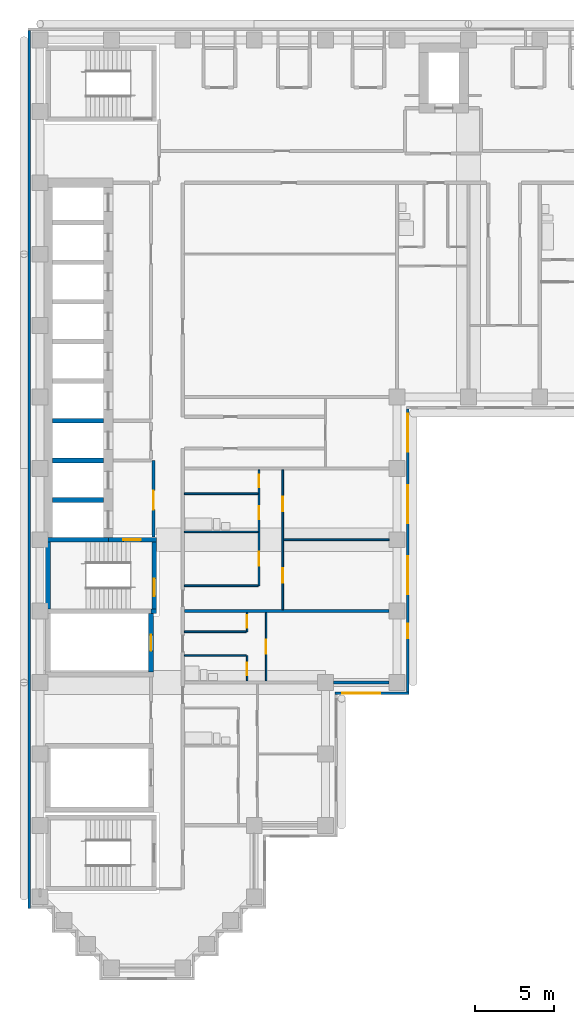
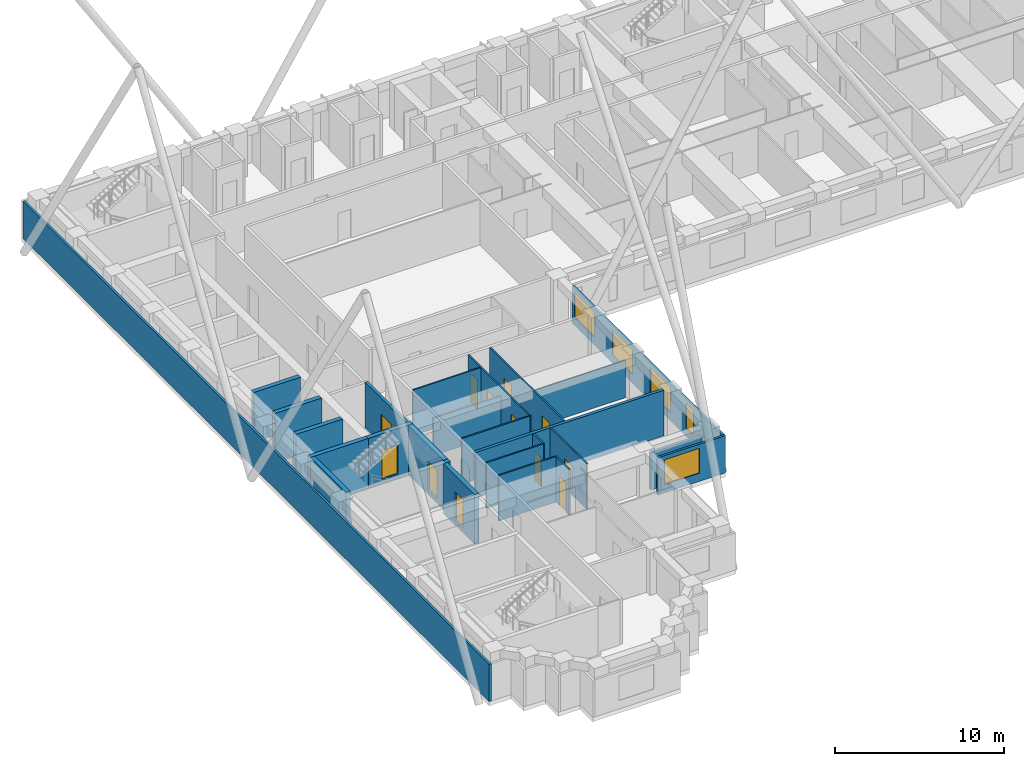
# One storey, part 4 of 13: 26 walls, 12 doors, 5 windows, 17 openings.
"""IFC4 building model written with IfcOpenShell, lengths in metres."""

from ifc_helpers import new_model, si_unit, direction, frame, frame_2d, origin, place, context, subcontext, project, spatial, rectangle, extrude, material, layer, layer_set, type_object, element, fill, save


model = new_model("IFC4")

# Units and contexts
model_context = context("Model", 3, precision=1e-05, world=origin(), true_north=direction((0.0, 1.0)))
body_context = subcontext(model_context, "Body", "Model", "MODEL_VIEW")
ifc_project = project(units=[si_unit("LENGTHUNIT", "METRE"), si_unit("AREAUNIT", "SQUARE_METRE"), si_unit("VOLUMEUNIT", "CUBIC_METRE"), si_unit("PLANEANGLEUNIT", "RADIAN"), si_unit("MASSUNIT", "GRAM", prefix="KILO")], contexts=[model_context])

# Site, building, storey
site_placement = place(None, origin())
site = spatial("IfcSite", under=ifc_project, at=site_placement, CompositionType="ELEMENT")
building_placement = place(site_placement, origin())
building = spatial("IfcBuilding", under=site, at=building_placement, Name="Firuza Court", CompositionType="ELEMENT")
storey_placement = place(building_placement, frame((0.0, 0.0, 141.199951171875)))
storey = spatial("IfcBuildingStorey", under=building, at=storey_placement, Name="L35", CompositionType="ELEMENT", Elevation=141.199951171875)

# Walls
ifc_material_1 = material(Name="Moisture-resistant gypsum board partition")
ifc_layer_1 = layer(ifc_material_1, 0.10009765625)
ifc_layer_set_1 = layer_set([ifc_layer_1], Name="Moisture-resistant gypsum board partition")
wall_type_1 = type_object("IfcWallType", Name="Bathroom partition 100", PredefinedType="PLUMBINGWALL", material=ifc_layer_set_1)
wall_1_placement = place(storey_placement, frame((9.10009765625, 19.699951171875, 0.0), z_axis=(0.0, 0.0, 1.0), x_axis=(1.0, 0.0, 0.0)))
element("IfcWall", 1, at=wall_1_placement, inside=storey, type_object=wall_type_1, Name="Bathroom partition 100 L35", PredefinedType="PLUMBINGWALL", context=body_context, shape_type="SweptSolid", body=[
    extrude(rectangle(XDim=3.89990234375, YDim=0.10009765625, at=frame_2d((1.949951171875, 0.0))), origin(), (0.0, 0.0, 1.0), 3.300048828125),
])
wall_2_placement = place(storey_placement, frame((9.10009765625, 27.5, 0.0), z_axis=(0.0, 0.0, 1.0), x_axis=(1.0, 0.0, 0.0)))
element("IfcWall", 2, at=wall_2_placement, inside=storey, type_object=wall_type_1, Name="Bathroom partition 100 L35", PredefinedType="PLUMBINGWALL", context=body_context, shape_type="SweptSolid", body=[
    extrude(rectangle(XDim=4.64990234375, YDim=0.10009765625, at=frame_2d((2.324951171875, 0.0))), origin(), (0.0, 0.0, 1.0), 2.699951171875),
])
wall_3_placement = place(storey_placement, frame((9.10009765625, 29.89990234375, 0.0), z_axis=(0.0, 0.0, 1.0), x_axis=(1.0, 0.0, 0.0)))
element("IfcWall", 3, at=wall_3_placement, inside=storey, type_object=wall_type_1, Name="Bathroom partition 100 L35", PredefinedType="PLUMBINGWALL", context=body_context, shape_type="SweptSolid", body=[
    extrude(rectangle(XDim=4.64990234375, YDim=0.10009765625, at=frame_2d((2.324951171875, 0.0))), origin(), (0.0, 0.0, 1.0), 3.300048828125),
])
ifc_material_2 = material(Name="Concrete C60/75", Category="concrete")
ifc_layer_2 = layer(ifc_material_2, 0.300048828125)
ifc_layer_set_2 = layer_set([ifc_layer_2], Name="Concrete C60/75")
wall_type_2 = type_object("IfcWallType", Name="Core wall 300 C60/75", PredefinedType="SHEAR", material=ifc_layer_set_2)
wall_4_placement = place(storey_placement, frame((0.35009765625, 27.0, -0.300048828125), z_axis=(0.0, 0.0, 1.0), x_axis=(1.0, 0.0, 0.0)))
element("IfcWall", 4, at=wall_4_placement, inside=storey, type_object=wall_type_2, Name="Core wall lift shaft L35", PredefinedType="SHEAR", context=body_context, shape_type="SweptSolid", body=[
    extrude(rectangle(XDim=3.949951171875, YDim=0.300048828125, at=frame_2d((1.97509765625, 0.0))), origin(), (0.0, 0.0, 1.0), 3.60009765625),
])
wall_5_placement = place(storey_placement, frame((0.5, 22.64990234375, -0.300048828125), z_axis=(0.0, 0.0, 1.0), x_axis=(0.0, 1.0, 0.0)))
element("IfcWall", 5, at=wall_5_placement, inside=storey, type_object=wall_type_2, Name="Core wall stair L35", PredefinedType="SHEAR", context=body_context, shape_type="SweptSolid", body=[
    extrude(rectangle(XDim=4.2001953125, YDim=0.300048828125, at=frame_2d((2.10009765625, 0.0))), origin(), (0.0, 0.0, 1.0), 3.60009765625),
])
for number, where, z_axis, x_axis, name in (
    (6, (0.800048828125, 29.5, -0.300048828125), (0.0, 0.0, 1.0), (1.0, 0.0, 0.0), "Core wall lift shaft L35"),
    (7, (0.800048828125, 32.0, -0.300048828125), (0.0, 0.0, 1.0), (1.0, 0.0, 0.0), "Core wall lift shaft L35"),
    (8, (0.800048828125, 34.5, -0.300048828125), (0.0, 0.0, 1.0), (1.0, 0.0, 0.0), "Core wall lift shaft L35"),
):
    element("IfcWall", number, at=place(storey_placement, frame(where, z_axis=z_axis, x_axis=x_axis)), inside=storey, type_object=wall_type_2, Name=name, PredefinedType="SHEAR", context=body_context, shape_type="SweptSolid", body=[
        extrude(rectangle(XDim=3.199951171875, YDim=0.300048828125, at=frame_2d((1.60009765625, 0.0))), origin(), (0.0, 0.0, 1.0), 3.60009765625),
    ])

# Wall, opening, door
wall_6_placement = place(storey_placement, frame((4.300048828125, 27.0, -0.300048828125), z_axis=(0.0, 0.0, 1.0), x_axis=(1.0, 0.0, 0.0)))
wall_6 = element("IfcWall", 9, at=wall_6_placement, inside=storey, type_object=wall_type_2, Name="Core wall stair L35", PredefinedType="SHEAR", context=body_context, shape_type="SweptSolid", body=[
    extrude(rectangle(XDim=3.050048828125, YDim=0.300048828125, at=frame_2d((1.52490234375, 0.0))), origin(), (0.0, 0.0, 1.0), 3.60009765625),
])
opening_1_placement = place(wall_6_placement, frame((0.949951171875, 0.0, 0.300048828125)))
opening_1 = element("IfcOpeningElement", 10, at=opening_1_placement, cuts=wall_6, Name="Opening D35013", PredefinedType="OPENING", context=body_context, shape_type="SweptSolid", body=[
    extrude(rectangle(XDim=1.10009765625, YDim=2.10009765625, at=frame_2d((0.550048828125, 1.050048828125))), frame((0.0, 0.162109375, 0.0), z_axis=(0.0, -1.0, 0.0), x_axis=(1.0, 0.0, 0.0)), (0.0, 0.0, 1.0), 0.323974609375),
])
ifc_material_3 = material(Name="Timber door leaf in hardwood frame", Category="wood")
door_type_1 = type_object("IfcDoorType", Name="Stair door 1100", OperationType="SINGLE_SWING_LEFT", PredefinedType="DOOR", material=ifc_material_3)
door_1_placement = place(opening_1_placement, frame((1.10009765625, 0.0, 0.0), z_axis=(0.0, 0.0, 1.0), x_axis=(-1.0, 0.0, 0.0)))
door_1 = element("IfcDoor", 11, at=door_1_placement, inside=storey, type_object=door_type_1, Name="Fire-fighting lobby door", OperationType="SINGLE_SWING_LEFT", OverallHeight=2.10009765625, OverallWidth=1.10009765625, PredefinedType="DOOR", context=body_context, shape_type="SweptSolid", body=[
    extrude(rectangle(XDim=1.10009765625, YDim=2.10009765625, at=frame_2d((0.550048828125, 1.050048828125))), frame((0.0, 0.02490234375, 0.0), z_axis=(0.0, -1.0, 0.0), x_axis=(1.0, 0.0, 0.0)), (0.0, 0.0, 1.0), 0.050048828125),
])
fill(opening_1, door_1)

wall_7_placement = place(storey_placement, frame((7.0, 18.64990234375, -0.300048828125), z_axis=(0.0, 0.0, 1.0), x_axis=(0.0, 1.0, 0.0)))
wall_7 = element("IfcWall", 12, at=wall_7_placement, inside=storey, type_object=wall_type_2, Name="Core wall riser L35", PredefinedType="SHEAR", context=body_context, shape_type="SweptSolid", body=[
    extrude(rectangle(XDim=3.7001953125, YDim=0.300048828125, at=frame_2d((1.85009765625, 0.0))), origin(), (0.0, 0.0, 1.0), 3.60009765625),
])
opening_2_placement = place(wall_7_placement, frame((1.35009765625, 0.0, 0.300048828125)))
opening_2 = element("IfcOpeningElement", 13, at=opening_2_placement, cuts=wall_7, Name="Opening D35009", PredefinedType="OPENING", context=body_context, shape_type="SweptSolid", body=[
    extrude(rectangle(XDim=1.0, YDim=2.10009765625, at=frame_2d((0.5, 1.050048828125))), frame((0.0, 0.162109375, 0.0), z_axis=(0.0, -1.0, 0.0), x_axis=(1.0, 0.0, 0.0)), (0.0, 0.0, 1.0), 0.323974609375),
])
ifc_material_4 = material(Name="Timber door leaf in hardwood frame", Category="wood")
door_type_2 = type_object("IfcDoorType", Name="Riser door 1000", OperationType="SINGLE_SWING_LEFT", PredefinedType="DOOR", material=ifc_material_4)
door_2_placement = place(opening_2_placement, origin())
door_2 = element("IfcDoor", 14, at=door_2_placement, inside=storey, type_object=door_type_2, Name="Riser door R1", OperationType="SINGLE_SWING_LEFT", OverallHeight=2.10009765625, OverallWidth=1.0, PredefinedType="DOOR", context=body_context, shape_type="SweptSolid", body=[
    extrude(rectangle(XDim=1.0, YDim=2.10009765625, at=frame_2d((0.5, 1.050048828125))), frame((0.0, 0.02490234375, 0.0), z_axis=(0.0, -1.0, 0.0), x_axis=(1.0, 0.0, 0.0)), (0.0, 0.0, 1.0), 0.050048828125),
])
fill(opening_2, door_2)

# Wall
wall_8_placement = place(storey_placement, frame((7.0, 22.5, -0.300048828125), z_axis=(0.0, 0.0, 1.0), x_axis=(1.0, 0.0, 0.0)))
element("IfcWall", 15, at=wall_8_placement, inside=storey, type_object=wall_type_2, Name="Core wall stair L35", PredefinedType="SHEAR", context=body_context, shape_type="SweptSolid", body=[
    extrude(rectangle(XDim=0.35009765625, YDim=0.300048828125, at=frame_2d((0.175048828125, 0.0))), origin(), (0.0, 0.0, 1.0), 3.60009765625),
])

# Wall, opening, door
wall_9_placement = place(storey_placement, frame((7.199951171875, 22.64990234375, -0.300048828125), z_axis=(0.0, 0.0, 1.0), x_axis=(0.0, 1.0, 0.0)))
wall_9 = element("IfcWall", 16, at=wall_9_placement, inside=storey, type_object=wall_type_2, Name="Core wall stair L35", PredefinedType="SHEAR", context=body_context, shape_type="SweptSolid", body=[
    extrude(rectangle(XDim=4.2001953125, YDim=0.300048828125, at=frame_2d((2.10009765625, 0.0))), origin(), (0.0, 0.0, 1.0), 3.60009765625),
])
opening_3_placement = place(wall_9_placement, frame((0.800048828125, 0.0, 0.300048828125)))
opening_3 = element("IfcOpeningElement", 17, at=opening_3_placement, cuts=wall_9, Name="Opening D35014", PredefinedType="OPENING", context=body_context, shape_type="SweptSolid", body=[
    extrude(rectangle(XDim=1.10009765625, YDim=2.10009765625, at=frame_2d((0.550048828125, 1.050048828125))), frame((0.0, 0.162109375, 0.0), z_axis=(0.0, -1.0, 0.0), x_axis=(1.0, 0.0, 0.0)), (0.0, 0.0, 1.0), 0.323974609375),
])
door_3_placement = place(opening_3_placement, origin())
door_3 = element("IfcDoor", 18, at=door_3_placement, inside=storey, type_object=door_type_1, Name="Stair door S2", OperationType="SINGLE_SWING_LEFT", OverallHeight=2.10009765625, OverallWidth=1.10009765625, PredefinedType="DOOR", context=body_context, shape_type="SweptSolid", body=[
    extrude(rectangle(XDim=1.10009765625, YDim=2.10009765625, at=frame_2d((0.550048828125, 1.050048828125))), frame((0.0, 0.02490234375, 0.0), z_axis=(0.0, -1.0, 0.0), x_axis=(1.0, 0.0, 0.0)), (0.0, 0.0, 1.0), 0.050048828125),
])
fill(opening_3, door_3)

ifc_material_5 = material(Name="Timber stud partition, plasterboard both sides", Category="wood")
ifc_layer_3 = layer(ifc_material_5, 0.10009765625)
ifc_layer_set_3 = layer_set([ifc_layer_3], Name="Timber stud partition, plasterboard both sides")
wall_type_3 = type_object("IfcWallType", Name="Partition wall 100", PredefinedType="PARTITIONING", material=ifc_layer_set_3)
wall_10_placement = place(storey_placement, frame((13.050048828125, 18.10009765625, 0.0), z_axis=(0.0, 0.0, 1.0), x_axis=(0.0, 1.0, 0.0)))
wall_10 = element("IfcWall", 19, at=wall_10_placement, inside=storey, type_object=wall_type_3, Name="Partition wall 100 L35", PredefinedType="PARTITIONING", context=body_context, shape_type="SweptSolid", body=[
    extrude(rectangle(XDim=1.599853515625, YDim=0.10009765625, at=frame_2d((0.7998046875, 0.0))), origin(), (0.0, 0.0, 1.0), 3.300048828125),
])
opening_4_placement = place(wall_10_placement, frame((0.35009765625, 0.0, 0.0)))
opening_4 = element("IfcOpeningElement", 20, at=opening_4_placement, cuts=wall_10, Name="Opening D35027", PredefinedType="OPENING", context=body_context, shape_type="SweptSolid", body=[
    extrude(rectangle(XDim=0.800048828125, YDim=2.10009765625, at=frame_2d((0.39990234375, 1.050048828125))), frame((0.0, 0.06201171875, 0.0), z_axis=(0.0, -1.0, 0.0), x_axis=(1.0, 0.0, 0.0)), (0.0, 0.0, 1.0), 0.1240234375),
])
ifc_material_6 = material(Name="Timber door leaf in hardwood frame", Category="wood")
door_type_3 = type_object("IfcDoorType", Name="Bathroom door 800", OperationType="SINGLE_SWING_LEFT", PredefinedType="DOOR", material=ifc_material_6)
door_4_placement = place(opening_4_placement, origin())
door_4 = element("IfcDoor", 21, at=door_4_placement, inside=storey, type_object=door_type_3, Name="Bathroom door", OperationType="SINGLE_SWING_LEFT", OverallHeight=2.10009765625, OverallWidth=0.800048828125, PredefinedType="DOOR", context=body_context, shape_type="SweptSolid", body=[
    extrude(rectangle(XDim=0.800048828125, YDim=2.10009765625, at=frame_2d((0.39990234375, 1.050048828125))), frame((0.0, 0.02490234375, 0.0), z_axis=(0.0, -1.0, 0.0), x_axis=(1.0, 0.0, 0.0)), (0.0, 0.0, 1.0), 0.050048828125),
])
fill(opening_4, door_4)

wall_11_placement = place(storey_placement, frame((14.25, 18.10009765625, 0.0), z_axis=(0.0, 0.0, 1.0), x_axis=(0.0, 1.0, 0.0)))
wall_11 = element("IfcWall", 22, at=wall_11_placement, inside=storey, type_object=wall_type_3, Name="Partition wall 100 L35", PredefinedType="PARTITIONING", context=body_context, shape_type="SweptSolid", body=[
    extrude(rectangle(XDim=4.2998046875, YDim=0.10009765625, at=frame_2d((2.14990234375, 0.0))), origin(), (0.0, 0.0, 1.0), 3.300048828125),
])
opening_5_placement = place(wall_11_placement, frame((1.699951171875, 0.0, 0.0)))
opening_5 = element("IfcOpeningElement", 23, at=opening_5_placement, cuts=wall_11, Name="Opening D35028", PredefinedType="OPENING", context=body_context, shape_type="SweptSolid", body=[
    extrude(rectangle(XDim=0.89990234375, YDim=2.10009765625, at=frame_2d((0.449951171875, 1.050048828125))), frame((0.0, 0.06201171875, 0.0), z_axis=(0.0, -1.0, 0.0), x_axis=(1.0, 0.0, 0.0)), (0.0, 0.0, 1.0), 0.1240234375),
])
ifc_material_7 = material(Name="Timber door leaf in hardwood frame", Category="wood")
door_type_4 = type_object("IfcDoorType", Name="Room door 900", OperationType="SINGLE_SWING_LEFT", PredefinedType="DOOR", material=ifc_material_7)
door_5_placement = place(opening_5_placement, frame((0.89990234375, 0.0, 0.0), z_axis=(0.0, 0.0, 1.0), x_axis=(-1.0, 0.0, 0.0)))
door_5 = element("IfcDoor", 24, at=door_5_placement, inside=storey, type_object=door_type_4, Name="Studio room door", OperationType="SINGLE_SWING_RIGHT", OverallHeight=2.10009765625, OverallWidth=0.89990234375, PredefinedType="DOOR", context=body_context, shape_type="SweptSolid", body=[
    extrude(rectangle(XDim=0.89990234375, YDim=2.10009765625, at=frame_2d((0.449951171875, 1.050048828125))), frame((0.0, 0.02490234375, 0.0), z_axis=(0.0, -1.0, 0.0), x_axis=(1.0, 0.0, 0.0)), (0.0, 0.0, 1.0), 0.050048828125),
])
fill(opening_5, door_5)

# Wall
wall_12_placement = place(storey_placement, frame((9.10009765625, 21.199951171875, 0.0), z_axis=(0.0, 0.0, 1.0), x_axis=(1.0, 0.0, 0.0)))
element("IfcWall", 25, at=wall_12_placement, inside=storey, type_object=wall_type_3, Name="Partition wall 100 L35", PredefinedType="PARTITIONING", context=body_context, shape_type="SweptSolid", body=[
    extrude(rectangle(XDim=3.89990234375, YDim=0.10009765625, at=frame_2d((1.949951171875, 0.0))), origin(), (0.0, 0.0, 1.0), 3.300048828125),
])

# Wall, opening, door
wall_13_placement = place(storey_placement, frame((13.050048828125, 21.199951171875, 0.0), z_axis=(0.0, 0.0, 1.0), x_axis=(0.0, 1.0, 0.0)))
wall_13 = element("IfcWall", 26, at=wall_13_placement, inside=storey, type_object=wall_type_3, Name="Partition wall 100 L35", PredefinedType="PARTITIONING", context=body_context, shape_type="SweptSolid", body=[
    extrude(rectangle(XDim=1.199951171875, YDim=0.10009765625, at=frame_2d((0.60009765625, 0.0))), origin(), (0.0, 0.0, 1.0), 3.300048828125),
])
opening_6_placement = place(wall_13_placement, frame((0.25, 0.0, 0.0)))
opening_6 = element("IfcOpeningElement", 27, at=opening_6_placement, cuts=wall_13, Name="Opening D35029", PredefinedType="OPENING", context=body_context, shape_type="SweptSolid", body=[
    extrude(rectangle(XDim=0.800048828125, YDim=2.10009765625, at=frame_2d((0.39990234375, 1.050048828125))), frame((0.0, 0.06201171875, 0.0), z_axis=(0.0, -1.0, 0.0), x_axis=(1.0, 0.0, 0.0)), (0.0, 0.0, 1.0), 0.1240234375),
])
ifc_material_8 = material(Name="Timber door leaf in hardwood frame", Category="wood")
door_type_5 = type_object("IfcDoorType", Name="Room door 800", OperationType="SINGLE_SWING_LEFT", PredefinedType="DOOR", material=ifc_material_8)
door_6_placement = place(opening_6_placement, origin())
door_6 = element("IfcDoor", 28, at=door_6_placement, inside=storey, type_object=door_type_5, Name="Kitchen door", OperationType="SINGLE_SWING_LEFT", OverallHeight=2.10009765625, OverallWidth=0.800048828125, PredefinedType="DOOR", context=body_context, shape_type="SweptSolid", body=[
    extrude(rectangle(XDim=0.800048828125, YDim=2.10009765625, at=frame_2d((0.39990234375, 1.050048828125))), frame((0.0, 0.02490234375, 0.0), z_axis=(0.0, -1.0, 0.0), x_axis=(1.0, 0.0, 0.0)), (0.0, 0.0, 1.0), 0.050048828125),
])
fill(opening_6, door_6)

# Wall, openings, doors
wall_14_placement = place(storey_placement, frame((15.300048828125, 22.60009765625, 0.0), z_axis=(0.0, 0.0, 1.0), x_axis=(0.0, 1.0, 0.0)))
wall_14 = element("IfcWall", 29, at=wall_14_placement, inside=storey, type_object=wall_type_3, Name="Partition wall 100 L35", PredefinedType="PARTITIONING", context=body_context, shape_type="SweptSolid", body=[
    extrude(rectangle(XDim=8.7998046875, YDim=0.10009765625, at=frame_2d((4.39990234375, 0.0))), origin(), (0.0, 0.0, 1.0), 3.300048828125),
])
opening_7_placement = place(wall_14_placement, frame((1.699951171875, 0.0, 0.0)))
opening_7 = element("IfcOpeningElement", 30, at=opening_7_placement, cuts=wall_14, Name="Opening D35030", PredefinedType="OPENING", context=body_context, shape_type="SweptSolid", body=[
    extrude(rectangle(XDim=0.89990234375, YDim=2.10009765625, at=frame_2d((0.449951171875, 1.050048828125))), frame((0.0, 0.06201171875, 0.0), z_axis=(0.0, -1.0, 0.0), x_axis=(1.0, 0.0, 0.0)), (0.0, 0.0, 1.0), 0.1240234375),
])
opening_8_placement = place(wall_14_placement, frame((6.199951171875, 0.0, 0.0)))
opening_8 = element("IfcOpeningElement", 31, at=opening_8_placement, cuts=wall_14, Name="Opening D35031", PredefinedType="OPENING", context=body_context, shape_type="SweptSolid", body=[
    extrude(rectangle(XDim=0.89990234375, YDim=2.10009765625, at=frame_2d((0.449951171875, 1.050048828125))), frame((0.0, 0.06201171875, 0.0), z_axis=(0.0, -1.0, 0.0), x_axis=(1.0, 0.0, 0.0)), (0.0, 0.0, 1.0), 0.1240234375),
])
door_7_placement = place(opening_7_placement, frame((0.89990234375, 0.0, 0.0), z_axis=(0.0, 0.0, 1.0), x_axis=(-1.0, 0.0, 0.0)))
door_7 = element("IfcDoor", 32, at=door_7_placement, inside=storey, type_object=door_type_4, Name="Living room door", OperationType="SINGLE_SWING_RIGHT", OverallHeight=2.10009765625, OverallWidth=0.89990234375, PredefinedType="DOOR", context=body_context, shape_type="SweptSolid", body=[
    extrude(rectangle(XDim=0.89990234375, YDim=2.10009765625, at=frame_2d((0.449951171875, 1.050048828125))), frame((0.0, 0.02490234375, 0.0), z_axis=(0.0, -1.0, 0.0), x_axis=(1.0, 0.0, 0.0)), (0.0, 0.0, 1.0), 0.050048828125),
])
fill(opening_7, door_7)
door_8_placement = place(opening_8_placement, frame((0.89990234375, 0.0, 0.0), z_axis=(0.0, 0.0, 1.0), x_axis=(-1.0, 0.0, 0.0)))
door_8 = element("IfcDoor", 33, at=door_8_placement, inside=storey, type_object=door_type_4, Name="Bedroom door", OperationType="SINGLE_SWING_RIGHT", OverallHeight=2.10009765625, OverallWidth=0.89990234375, PredefinedType="DOOR", context=body_context, shape_type="SweptSolid", body=[
    extrude(rectangle(XDim=0.89990234375, YDim=2.10009765625, at=frame_2d((0.449951171875, 1.050048828125))), frame((0.0, 0.02490234375, 0.0), z_axis=(0.0, -1.0, 0.0), x_axis=(1.0, 0.0, 0.0)), (0.0, 0.0, 1.0), 0.050048828125),
])
fill(opening_8, door_8)

# Wall
wall_15_placement = place(storey_placement, frame((9.10009765625, 24.10009765625, 0.0), z_axis=(0.0, 0.0, 1.0), x_axis=(1.0, 0.0, 0.0)))
element("IfcWall", 34, at=wall_15_placement, inside=storey, type_object=wall_type_3, Name="Partition wall 100 L35", PredefinedType="PARTITIONING", context=body_context, shape_type="SweptSolid", body=[
    extrude(rectangle(XDim=4.64990234375, YDim=0.10009765625, at=frame_2d((2.324951171875, 0.0))), origin(), (0.0, 0.0, 1.0), 3.300048828125),
])

# Wall, openings, doors
wall_16_placement = place(storey_placement, frame((13.800048828125, 24.10009765625, 0.0), z_axis=(0.0, 0.0, 1.0), x_axis=(0.0, 1.0, 0.0)))
wall_16 = element("IfcWall", 35, at=wall_16_placement, inside=storey, type_object=wall_type_3, Name="Partition wall 100 L35", PredefinedType="PARTITIONING", context=body_context, shape_type="SweptSolid", body=[
    extrude(rectangle(XDim=7.2998046875, YDim=0.10009765625, at=frame_2d((3.64990234375, 0.0))), origin(), (0.0, 0.0, 1.0), 3.300048828125),
])
opening_9_placement = place(wall_16_placement, frame((4.199951171875, 0.0, 0.0)))
opening_9 = element("IfcOpeningElement", 36, at=opening_9_placement, cuts=wall_16, Name="Opening D35032", PredefinedType="OPENING", context=body_context, shape_type="SweptSolid", body=[
    extrude(rectangle(XDim=0.800048828125, YDim=2.10009765625, at=frame_2d((0.39990234375, 1.050048828125))), frame((0.0, 0.06201171875, 0.0), z_axis=(0.0, -1.0, 0.0), x_axis=(1.0, 0.0, 0.0)), (0.0, 0.0, 1.0), 0.1240234375),
])
opening_10_placement = place(wall_16_placement, frame((1.25, 0.0, 0.0)))
opening_10 = element("IfcOpeningElement", 37, at=opening_10_placement, cuts=wall_16, Name="Opening D35033", PredefinedType="OPENING", context=body_context, shape_type="SweptSolid", body=[
    extrude(rectangle(XDim=0.89990234375, YDim=2.10009765625, at=frame_2d((0.449951171875, 1.050048828125))), frame((0.0, 0.06201171875, 0.0), z_axis=(0.0, -1.0, 0.0), x_axis=(1.0, 0.0, 0.0)), (0.0, 0.0, 1.0), 0.1240234375),
])
opening_11_placement = place(wall_16_placement, frame((6.199951171875, 0.0, 0.0)))
opening_11 = element("IfcOpeningElement", 38, at=opening_11_placement, cuts=wall_16, Name="Opening D35034", PredefinedType="OPENING", context=body_context, shape_type="SweptSolid", body=[
    extrude(rectangle(XDim=0.800048828125, YDim=2.10009765625, at=frame_2d((0.39990234375, 1.050048828125))), frame((0.0, 0.06201171875, 0.0), z_axis=(0.0, -1.0, 0.0), x_axis=(1.0, 0.0, 0.0)), (0.0, 0.0, 1.0), 0.1240234375),
])
door_9_placement = place(opening_9_placement, origin())
door_9 = element("IfcDoor", 39, at=door_9_placement, inside=storey, type_object=door_type_3, Name="Bathroom door", OperationType="SINGLE_SWING_LEFT", OverallHeight=2.10009765625, OverallWidth=0.800048828125, PredefinedType="DOOR", context=body_context, shape_type="SweptSolid", body=[
    extrude(rectangle(XDim=0.800048828125, YDim=2.10009765625, at=frame_2d((0.39990234375, 1.050048828125))), frame((0.0, 0.02490234375, 0.0), z_axis=(0.0, -1.0, 0.0), x_axis=(1.0, 0.0, 0.0)), (0.0, 0.0, 1.0), 0.050048828125),
])
fill(opening_9, door_9)
door_10_placement = place(opening_11_placement, origin())
door_10 = element("IfcDoor", 40, at=door_10_placement, inside=storey, type_object=door_type_5, Name="Store door", OperationType="SINGLE_SWING_LEFT", OverallHeight=2.10009765625, OverallWidth=0.800048828125, PredefinedType="DOOR", context=body_context, shape_type="SweptSolid", body=[
    extrude(rectangle(XDim=0.800048828125, YDim=2.10009765625, at=frame_2d((0.39990234375, 1.050048828125))), frame((0.0, 0.02490234375, 0.0), z_axis=(0.0, -1.0, 0.0), x_axis=(1.0, 0.0, 0.0)), (0.0, 0.0, 1.0), 0.050048828125),
])
fill(opening_11, door_10)
door_11_placement = place(opening_10_placement, origin())
door_11 = element("IfcDoor", 41, at=door_11_placement, inside=storey, type_object=door_type_4, Name="Kitchen door", OperationType="SINGLE_SWING_LEFT", OverallHeight=2.10009765625, OverallWidth=0.89990234375, PredefinedType="DOOR", context=body_context, shape_type="SweptSolid", body=[
    extrude(rectangle(XDim=0.89990234375, YDim=2.10009765625, at=frame_2d((0.449951171875, 1.050048828125))), frame((0.0, 0.02490234375, 0.0), z_axis=(0.0, -1.0, 0.0), x_axis=(1.0, 0.0, 0.0)), (0.0, 0.0, 1.0), 0.050048828125),
])
fill(opening_10, door_11)

# Walls
wall_17_placement = place(storey_placement, frame((15.35009765625, 27.0, 0.0), z_axis=(0.0, 0.0, 1.0), x_axis=(1.0, 0.0, 0.0)))
element("IfcWall", 42, at=wall_17_placement, inside=storey, type_object=wall_type_3, Name="Partition wall 100 L35", PredefinedType="PARTITIONING", context=body_context, shape_type="SweptSolid", body=[
    extrude(rectangle(XDim=6.64990234375, YDim=0.10009765625, at=frame_2d((3.324951171875, 0.0))), origin(), (0.0, 0.0, 1.0), 2.699951171875),
])
ifc_material_9 = material(Name="Blockwork, plastered both sides", Category="masonry")
ifc_layer_4 = layer(ifc_material_9, 0.199951171875)
ifc_layer_set_4 = layer_set([ifc_layer_4], Name="Blockwork, plastered both sides")
wall_type_4 = type_object("IfcWallType", Name="Party wall 200", PredefinedType="PARTITIONING", material=ifc_layer_set_4)
wall_18_placement = place(storey_placement, frame((18.5, 18.0, 0.0), z_axis=(0.0, 0.0, 1.0), x_axis=(1.0, 0.0, 0.0)))
element("IfcWall", 43, at=wall_18_placement, inside=storey, type_object=wall_type_4, Name="Party wall 200 L35", PredefinedType="PARTITIONING", context=body_context, shape_type="SweptSolid", body=[
    extrude(rectangle(XDim=3.5, YDim=0.199951171875, at=frame_2d((1.75, 0.0))), origin(), (0.0, 0.0, 1.0), 2.699951171875),
])
wall_19_placement = place(storey_placement, frame((9.10009765625, 22.5, 0.0), z_axis=(0.0, 0.0, 1.0), x_axis=(1.0, 0.0, 0.0)))
element("IfcWall", 44, at=wall_19_placement, inside=storey, type_object=wall_type_4, Name="Party wall 200 L35", PredefinedType="PARTITIONING", context=body_context, shape_type="SweptSolid", body=[
    extrude(rectangle(XDim=12.89990234375, YDim=0.199951171875, at=frame_2d((6.449951171875, 0.0))), origin(), (0.0, 0.0, 1.0), 3.300048828125),
])

# Wall, opening, window
ifc_material_10 = material(Name="Ceramic tile", Category="ceramic")
ifc_layer_5 = layer(ifc_material_10, 0.02001953125)
ifc_material_11 = material(Name="Mineral wool insulation", Category="insulation")
ifc_layer_6 = layer(ifc_material_11, 0.050048828125)
ifc_material_12 = material(Name="Concrete C40/50 precast", Category="concrete")
ifc_layer_7 = layer(ifc_material_12, 0.080078125)
ifc_layer_set_5 = layer_set([ifc_layer_5, ifc_layer_6, ifc_layer_7], Name="Concrete C40/50 precast")
wall_type_5 = type_object("IfcWallType", Name="Precast cladding wall with turquoise TILE PANEL face 150", PredefinedType="STANDARD", material=ifc_layer_set_5)
wall_20_placement = place(storey_placement, frame((18.60009765625, 17.324951171875, 0.0), z_axis=(0.0, 0.0, 1.0), x_axis=(1.0, 0.0, 0.0)))
wall_20 = element("IfcWall", 45, at=wall_20_placement, inside=storey, type_object=wall_type_5, Name="Facade wall L35 S", PredefinedType="STANDARD", context=body_context, shape_type="SweptSolid", body=[
    extrude(rectangle(XDim=4.64990234375, YDim=0.14990234375, at=frame_2d((2.324951171875, 0.0))), origin(), (0.0, 0.0, 1.0), 2.699951171875),
])
opening_12_placement = place(wall_20_placement, frame((0.449951171875, 0.0, 0.60009765625)))
opening_12 = element("IfcOpeningElement", 46, at=opening_12_placement, cuts=wall_20, Name="Opening W1", PredefinedType="OPENING", context=body_context, shape_type="SweptSolid", body=[
    extrude(rectangle(XDim=2.39990234375, YDim=1.800048828125, at=frame_2d((1.199951171875, 0.89990234375))), frame((0.0, 0.0869140625, 0.0), z_axis=(0.0, -1.0, 0.0), x_axis=(1.0, 0.0, 0.0)), (0.0, 0.0, 1.0), 0.173828125),
])
ifc_material_13 = material(Name="Aluminium frame, triple clear glazing", Category="aluminium")
window_type_1 = type_object("IfcWindowType", Name="Window W1 2400 x 1800", PartitioningType="SINGLE_PANEL", PredefinedType="WINDOW", material=ifc_material_13)
window_1_placement = place(opening_12_placement, origin())
window_1 = element("IfcWindow", 47, at=window_1_placement, inside=storey, type_object=window_type_1, Name="Window L35", OverallHeight=1.800048828125, OverallWidth=2.39990234375, PartitioningType="SINGLE_PANEL", PredefinedType="WINDOW", context=body_context, shape_type="SweptSolid", body=[
    extrude(rectangle(XDim=2.39990234375, YDim=1.800048828125, at=frame_2d((1.199951171875, 0.89990234375))), frame((0.0, 0.030029296875, 0.0), z_axis=(0.0, -1.0, 0.0), x_axis=(1.0, 0.0, 0.0)), (0.0, 0.0, 1.0), 0.06005859375),
])
fill(opening_12, window_1)

# Wall, openings, windows
wall_21_placement = place(storey_placement, frame((23.175048828125, 17.39990234375, 0.0), z_axis=(0.0, 0.0, 1.0), x_axis=(0.0, 1.0, 0.0)))
wall_21 = element("IfcWall", 48, at=wall_21_placement, inside=storey, type_object=wall_type_5, Name="Facade wall L35 E", PredefinedType="STANDARD", context=body_context, shape_type="SweptSolid", body=[
    extrude(rectangle(XDim=17.85009765625, YDim=0.14990234375, at=frame_2d((8.925048828125, 0.0))), origin(), (0.0, 0.0, 1.0), 2.699951171875),
])
opening_13_placement = place(wall_21_placement, frame((3.396728515625, 0.0, 0.60009765625)))
opening_13 = element("IfcOpeningElement", 49, at=opening_13_placement, cuts=wall_21, Name="Opening W3", PredefinedType="OPENING", context=body_context, shape_type="SweptSolid", body=[
    extrude(rectangle(XDim=0.89990234375, YDim=1.800048828125, at=frame_2d((0.449951171875, 0.89990234375))), frame((0.0, 0.0869140625, 0.0), z_axis=(0.0, -1.0, 0.0), x_axis=(1.0, 0.0, 0.0)), (0.0, 0.0, 1.0), 0.173828125),
])
opening_14_placement = place(wall_21_placement, frame((6.14990234375, 0.0, 0.60009765625)))
opening_14 = element("IfcOpeningElement", 50, at=opening_14_placement, cuts=wall_21, Name="Opening W1", PredefinedType="OPENING", context=body_context, shape_type="SweptSolid", body=[
    extrude(rectangle(XDim=2.39990234375, YDim=1.800048828125, at=frame_2d((1.199951171875, 0.89990234375))), frame((0.0, 0.0869140625, 0.0), z_axis=(0.0, -1.0, 0.0), x_axis=(1.0, 0.0, 0.0)), (0.0, 0.0, 1.0), 0.173828125),
])
opening_15_placement = place(wall_21_placement, frame((10.64990234375, 0.0, 0.60009765625)))
opening_15 = element("IfcOpeningElement", 51, at=opening_15_placement, cuts=wall_21, Name="Opening W1", PredefinedType="OPENING", context=body_context, shape_type="SweptSolid", body=[
    extrude(rectangle(XDim=2.39990234375, YDim=1.800048828125, at=frame_2d((1.199951171875, 0.89990234375))), frame((0.0, 0.0869140625, 0.0), z_axis=(0.0, -1.0, 0.0), x_axis=(1.0, 0.0, 0.0)), (0.0, 0.0, 1.0), 0.173828125),
])
opening_16_placement = place(wall_21_placement, frame((15.14990234375, 0.0, 0.60009765625)))
opening_16 = element("IfcOpeningElement", 52, at=opening_16_placement, cuts=wall_21, Name="Opening W1", PredefinedType="OPENING", context=body_context, shape_type="SweptSolid", body=[
    extrude(rectangle(XDim=2.39990234375, YDim=1.800048828125, at=frame_2d((1.199951171875, 0.89990234375))), frame((0.0, 0.0869140625, 0.0), z_axis=(0.0, -1.0, 0.0), x_axis=(1.0, 0.0, 0.0)), (0.0, 0.0, 1.0), 0.173828125),
])
window_2_placement = place(opening_14_placement, origin())
window_2 = element("IfcWindow", 53, at=window_2_placement, inside=storey, type_object=window_type_1, Name="Window L35", OverallHeight=1.800048828125, OverallWidth=2.39990234375, PartitioningType="SINGLE_PANEL", PredefinedType="WINDOW", context=body_context, shape_type="SweptSolid", body=[
    extrude(rectangle(XDim=2.39990234375, YDim=1.800048828125, at=frame_2d((1.199951171875, 0.89990234375))), frame((0.0, 0.030029296875, 0.0), z_axis=(0.0, -1.0, 0.0), x_axis=(1.0, 0.0, 0.0)), (0.0, 0.0, 1.0), 0.06005859375),
])
fill(opening_14, window_2)
window_3_placement = place(opening_15_placement, origin())
window_3 = element("IfcWindow", 54, at=window_3_placement, inside=storey, type_object=window_type_1, Name="Window L35", OverallHeight=1.800048828125, OverallWidth=2.39990234375, PartitioningType="SINGLE_PANEL", PredefinedType="WINDOW", context=body_context, shape_type="SweptSolid", body=[
    extrude(rectangle(XDim=2.39990234375, YDim=1.800048828125, at=frame_2d((1.199951171875, 0.89990234375))), frame((0.0, 0.030029296875, 0.0), z_axis=(0.0, -1.0, 0.0), x_axis=(1.0, 0.0, 0.0)), (0.0, 0.0, 1.0), 0.06005859375),
])
fill(opening_15, window_3)
window_4_placement = place(opening_16_placement, origin())
window_4 = element("IfcWindow", 55, at=window_4_placement, inside=storey, type_object=window_type_1, Name="Window L35", OverallHeight=1.800048828125, OverallWidth=2.39990234375, PartitioningType="SINGLE_PANEL", PredefinedType="WINDOW", context=body_context, shape_type="SweptSolid", body=[
    extrude(rectangle(XDim=2.39990234375, YDim=1.800048828125, at=frame_2d((1.199951171875, 0.89990234375))), frame((0.0, 0.030029296875, 0.0), z_axis=(0.0, -1.0, 0.0), x_axis=(1.0, 0.0, 0.0)), (0.0, 0.0, 1.0), 0.06005859375),
])
fill(opening_16, window_4)
ifc_material_14 = material(Name="Aluminium frame, triple clear glazing", Category="aluminium")
window_type_2 = type_object("IfcWindowType", Name="Window W3 900 x 1800", PartitioningType="SINGLE_PANEL", PredefinedType="WINDOW", material=ifc_material_14)
window_5_placement = place(opening_13_placement, origin())
window_5 = element("IfcWindow", 56, at=window_5_placement, inside=storey, type_object=window_type_2, Name="Window L35", OverallHeight=1.800048828125, OverallWidth=0.89990234375, PartitioningType="SINGLE_PANEL", PredefinedType="WINDOW", context=body_context, shape_type="SweptSolid", body=[
    extrude(rectangle(XDim=0.89990234375, YDim=1.800048828125, at=frame_2d((0.449951171875, 0.89990234375))), frame((0.0, 0.030029296875, 0.0), z_axis=(0.0, -1.0, 0.0), x_axis=(1.0, 0.0, 0.0)), (0.0, 0.0, 1.0), 0.06005859375),
])
fill(opening_13, window_5)

# Wall
wall_22_placement = place(storey_placement, frame((-0.675048828125, 59.10009765625, 0.0), z_axis=(0.0, 0.0, 1.0), x_axis=(0.0, -1.0, 0.0)))
element("IfcWall", 57, at=wall_22_placement, inside=storey, type_object=wall_type_5, Name="Facade wall L35 W", PredefinedType="STANDARD", context=body_context, shape_type="SweptSolid", body=[
    extrude(rectangle(XDim=55.35009765625, YDim=0.14990234375, at=frame_2d((27.675048828125, 0.0))), origin(), (0.0, 0.0, 1.0), 2.699951171875),
])

# Wall, opening, door
ifc_material_15 = material(Name="Blockwork, fire-rated", Category="masonry")
ifc_layer_8 = layer(ifc_material_15, 0.199951171875)
ifc_layer_set_6 = layer_set([ifc_layer_8], Name="Blockwork, fire-rated")
wall_type_6 = type_object("IfcWallType", Name="Shaft wall 200", PredefinedType="PARTITIONING", material=ifc_layer_set_6)
wall_23_placement = place(storey_placement, frame((7.14990234375, 27.169921875, 0.0), z_axis=(0.0, 0.0, 1.0), x_axis=(0.0, 1.0, 0.0)))
wall_23 = element("IfcWall", 58, at=wall_23_placement, inside=storey, type_object=wall_type_6, Name="Shaft wall 200 L35", PredefinedType="PARTITIONING", context=body_context, shape_type="SweptSolid", body=[
    extrude(rectangle(XDim=4.830078125, YDim=0.199951171875, at=frame_2d((2.4150390625, 0.0))), origin(), (0.0, 0.0, 1.0), 3.300048828125),
])
opening_17_placement = place(wall_23_placement, frame((1.72998046875, 0.0, 0.0)))
opening_17 = element("IfcOpeningElement", 59, at=opening_17_placement, cuts=wall_23, Name="Opening D35002", PredefinedType="OPENING", context=body_context, shape_type="SweptSolid", body=[
    extrude(rectangle(XDim=1.199951171875, YDim=2.10009765625, at=frame_2d((0.60009765625, 1.050048828125))), frame((0.0, 0.11181640625, 0.0), z_axis=(0.0, -1.0, 0.0), x_axis=(1.0, 0.0, 0.0)), (0.0, 0.0, 1.0), 0.223876953125),
])
ifc_material_16 = material(Name="Timber door leaf in hardwood frame", Category="wood")
door_type_6 = type_object("IfcDoorType", Name="Lobby door 1200", OperationType="SINGLE_SWING_LEFT", PredefinedType="DOOR", material=ifc_material_16)
door_12_placement = place(opening_17_placement, origin())
door_12 = element("IfcDoor", 60, at=door_12_placement, inside=storey, type_object=door_type_6, Name="Fire-fighting lobby door", OperationType="SINGLE_SWING_LEFT", OverallHeight=2.10009765625, OverallWidth=1.199951171875, PredefinedType="DOOR", context=body_context, shape_type="SweptSolid", body=[
    extrude(rectangle(XDim=1.199951171875, YDim=2.10009765625, at=frame_2d((0.60009765625, 1.050048828125))), frame((0.0, 0.02490234375, 0.0), z_axis=(0.0, -1.0, 0.0), x_axis=(1.0, 0.0, 0.0)), (0.0, 0.0, 1.0), 0.050048828125),
])
fill(opening_17, door_12)

save(model, "model.ifc")
